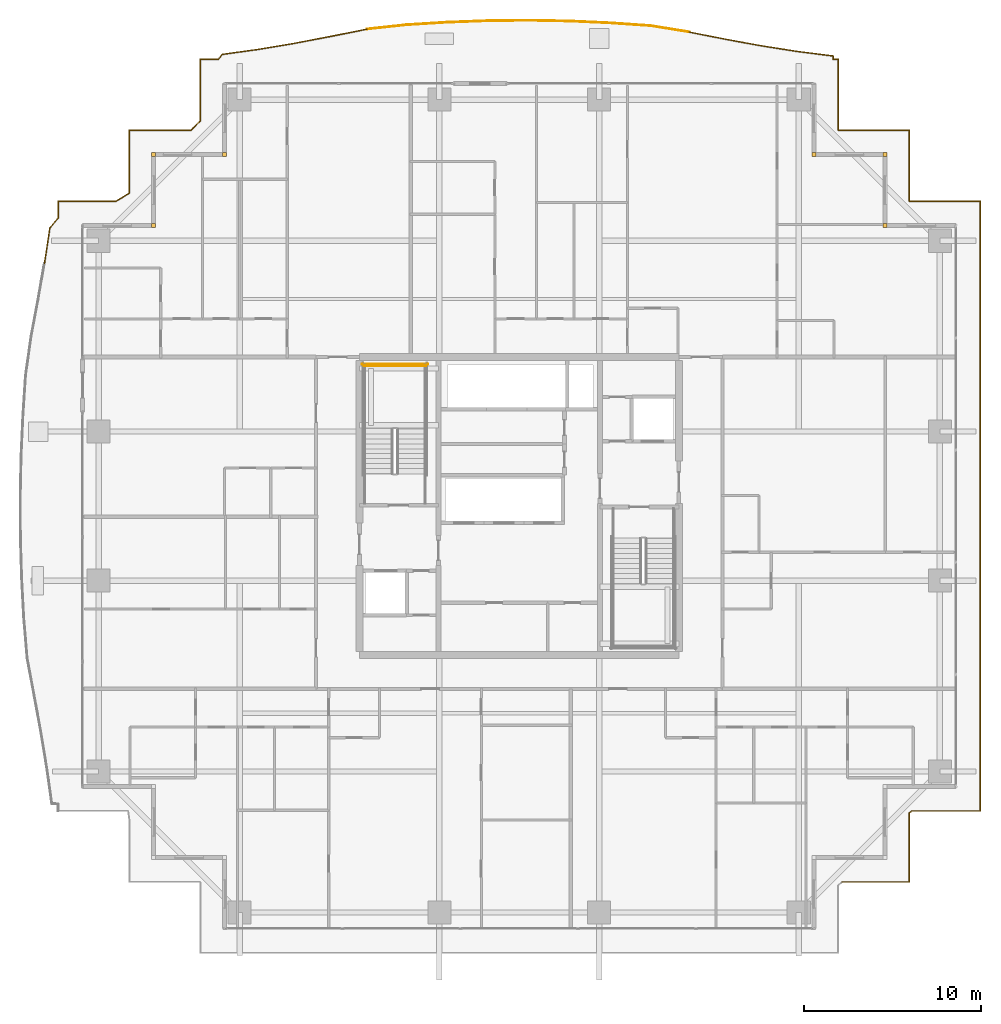
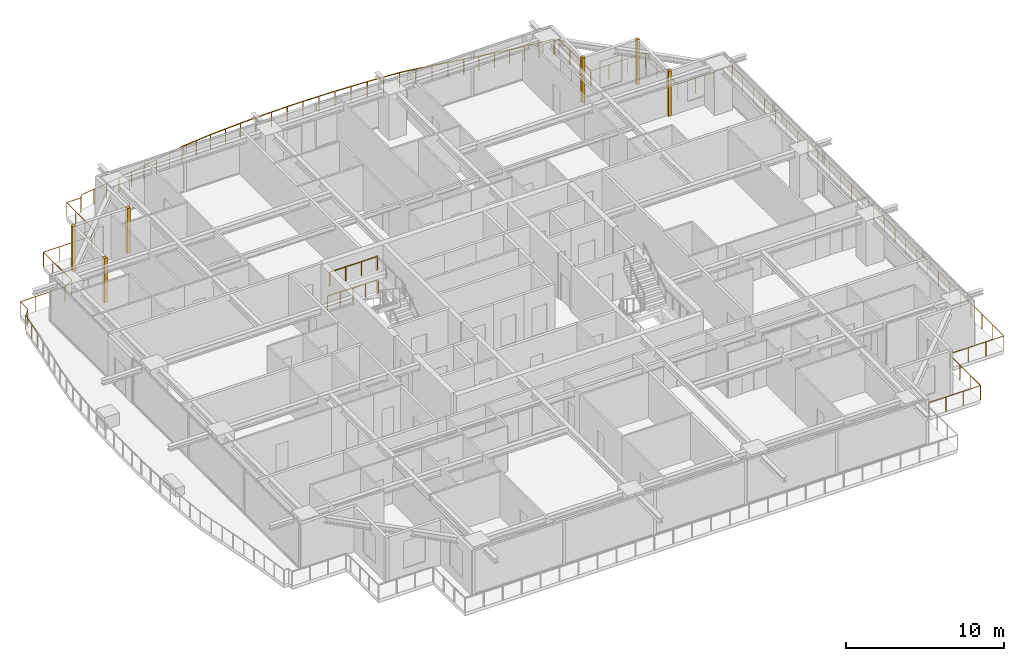
# One storey, part 37 of 37: 7 railings, 6 coverings.
"""IFC4 building model written with IfcOpenShell, lengths in metres."""

from ifc_helpers import new_model, si_unit, direction, frame, origin, origin_2d, place, context, subcontext, project, spatial, rectangle, circle, extrude, source, transform, mapped, material, layer, layer_set, type_object, element, save


model = new_model("IFC4")

# Units and contexts
model_context = context("Model", 3, precision=1e-05, world=origin(), true_north=direction((0.0, 1.0)))
body_context = subcontext(model_context, "Body", "Model", "MODEL_VIEW")
ifc_project = project(units=[si_unit("LENGTHUNIT", "METRE"), si_unit("AREAUNIT", "SQUARE_METRE"), si_unit("VOLUMEUNIT", "CUBIC_METRE"), si_unit("PLANEANGLEUNIT", "RADIAN"), si_unit("MASSUNIT", "GRAM", prefix="KILO")], contexts=[model_context])

# Site, building, storey
site_placement = place(None, origin())
site = spatial("IfcSite", under=ifc_project, at=site_placement, CompositionType="ELEMENT")
building_placement = place(site_placement, origin())
building = spatial("IfcBuilding", under=site, at=building_placement, Name="Serunith Strait Residences", CompositionType="ELEMENT")
storey_placement = place(building_placement, frame((0.0, 0.0, 153.89990234375)))
storey = spatial("IfcBuildingStorey", under=building, at=storey_placement, Name="L38", CompositionType="ELEMENT", Elevation=153.89990234375)

# Railings
ifc_material_1 = material(Name="Stainless Steel & Laminated Glass Balustrade", Category="steel")
railing_type_1 = type_object("IfcRailingType", Name="RLG-BALC-1150", PredefinedType="BALUSTRADE", material=ifc_material_1)
railing_1_placement = place(storey_placement, frame((5.6484375, 38.86572265625, -0.0498046875)))
element("IfcRailing", 1, at=railing_1_placement, inside=storey, type_object=railing_type_1, Name="L38 Swirling Balcony Perimeter Balustrade 3", PredefinedType="BALUSTRADE", context=body_context, shape_type="SweptSolid", body=[
    extrude(circle(Radius=0.02392578125, at=origin_2d()), frame((0.000244140625, 0.001953125, 1.1259765625), z_axis=(0.150587313373, 0.988596713049, 0.0), x_axis=(-0.988596713049, 0.150587313373, 0.0)), (0.0, 0.0, 1.0), 2.03076171875),
    extrude(circle(Radius=0.02392578125, at=origin_2d()), frame((0.3076171875, 2.012939453125, 1.1259765625), z_axis=(0.64767802673, 0.761914151129, 0.0), x_axis=(-0.761914151129, 0.64767802673, 0.0)), (0.0, 0.0, 1.0), 0.714111328125),
    extrude(circle(Radius=0.02392578125, at=origin_2d()), frame((0.771484375, 2.560546875, 1.1259765625), z_axis=(0.0, 1.0, 0.0), x_axis=(-1.0, 0.0, 0.0)), (0.0, 0.0, 1.0), 0.95166015625),
    extrude(circle(Radius=0.02392578125, at=origin_2d()), frame((0.7734375, 3.51416015625, 1.1259765625), z_axis=(1.0, 0.0, 0.0), x_axis=(0.0, 1.0, 0.0)), (0.0, 0.0, 1.0), 3.259521484375),
    extrude(circle(Radius=0.02392578125, at=origin_2d()), frame((4.03662109375, 3.51513671875, 1.1259765625), z_axis=(0.85764338505, 0.514244906713, 0.0), x_axis=(-0.514244906713, 0.85764338505, 0.0)), (0.0, 0.0, 1.0), 0.854736328125),
    extrude(circle(Radius=0.02392578125, at=origin_2d()), frame((4.771484375, 3.957763671875, 1.1259765625), z_axis=(0.0, 1.0, 0.0), x_axis=(-1.0, 0.0, 0.0)), (0.0, 0.0, 1.0), 3.554443359375),
    extrude(circle(Radius=0.02392578125, at=origin_2d()), frame((4.7734375, 7.51416015625, 1.1259765625), z_axis=(1.0, 0.0, 0.0), x_axis=(0.0, 1.0, 0.0)), (0.0, 0.0, 1.0), 3.47216796875),
    extrude(circle(Radius=0.02099609375, at=origin_2d()), origin(), (0.0, 0.0, 1.0), 1.099853515625),
    extrude(circle(Radius=0.02099609375, at=origin_2d()), frame((0.1533203125, 1.005859375, 0.0)), (0.0, 0.0, 1.0), 1.099853515625),
    extrude(circle(Radius=0.02099609375, at=origin_2d()), frame((0.306396484375, 2.011474609375, 0.0)), (0.0, 0.0, 1.0), 1.099853515625),
    extrude(circle(Radius=0.02099609375, at=origin_2d()), frame((0.771484375, 2.55859375, 0.0)), (0.0, 0.0, 1.0), 1.099853515625),
    extrude(circle(Radius=0.02099609375, at=origin_2d()), frame((0.771484375, 3.51416015625, 0.0)), (0.0, 0.0, 1.0), 1.099853515625),
    extrude(circle(Radius=0.02099609375, at=origin_2d()), frame((1.859375, 3.51416015625, 0.0)), (0.0, 0.0, 1.0), 1.099853515625),
    extrude(circle(Radius=0.02099609375, at=origin_2d()), frame((2.947021484375, 3.51416015625, 0.0)), (0.0, 0.0, 1.0), 1.099853515625),
    extrude(circle(Radius=0.02099609375, at=origin_2d()), frame((4.034912109375, 3.51416015625, 0.0)), (0.0, 0.0, 1.0), 1.099853515625),
    extrude(circle(Radius=0.02099609375, at=origin_2d()), frame((4.771484375, 3.955810546875, 0.0)), (0.0, 0.0, 1.0), 1.099853515625),
    extrude(circle(Radius=0.02099609375, at=origin_2d()), frame((4.771484375, 5.141845703125, 0.0)), (0.0, 0.0, 1.0), 1.099853515625),
    extrude(circle(Radius=0.02099609375, at=origin_2d()), frame((4.771484375, 6.328125, 0.0)), (0.0, 0.0, 1.0), 1.099853515625),
    extrude(circle(Radius=0.02099609375, at=origin_2d()), frame((4.771484375, 7.51416015625, 0.0)), (0.0, 0.0, 1.0), 1.099853515625),
    extrude(circle(Radius=0.02099609375, at=origin_2d()), frame((5.93017578125, 7.51416015625, 0.0)), (0.0, 0.0, 1.0), 1.099853515625),
    extrude(circle(Radius=0.02099609375, at=origin_2d()), frame((7.0888671875, 7.51416015625, 0.0)), (0.0, 0.0, 1.0), 1.099853515625),
    extrude(circle(Radius=0.02099609375, at=origin_2d()), frame((8.24755859375, 7.51416015625, 0.0)), (0.0, 0.0, 1.0), 1.099853515625),
])
railing_2_placement = place(storey_placement, frame((13.89599609375, 46.3798828125, -0.0498046875)))
element("IfcRailing", 2, at=railing_2_placement, inside=storey, type_object=railing_type_1, Name="L38 Swirling Balcony Perimeter Balustrade 4", PredefinedType="BALUSTRADE", context=body_context, shape_type="SweptSolid", body=[
    extrude(circle(Radius=0.02392578125, at=origin_2d()), frame((0.00146484375, 0.00146484375, 1.1259765625), z_axis=(0.721078377082, 0.692853501185, 0.0), x_axis=(-0.692853501185, 0.721078377082, 0.0)), (0.0, 0.0, 1.0), 0.72265625),
    extrude(circle(Radius=0.02392578125, at=origin_2d()), frame((0.52392578125, 0.50537109375, 1.1259765625), z_axis=(0.0, 1.0, 0.0), x_axis=(-1.0, 0.0, 0.0)), (0.0, 0.0, 1.0), 3.49267578125),
    extrude(circle(Radius=0.02392578125, at=origin_2d()), frame((0.52587890625, 4.0, 1.1259765625), z_axis=(1.0, 0.0, 0.0), x_axis=(0.0, 1.0, 0.0)), (0.0, 0.0, 1.0), 1.031982421875),
    extrude(circle(Radius=0.02392578125, at=origin_2d()), frame((1.56103515625, 4.001708984375, 1.1259765625), z_axis=(0.582006464086, 0.813184158578, 0.0), x_axis=(-0.813184158578, 0.582006464086, 0.0)), (0.0, 0.0, 1.0), 0.32666015625),
    extrude(circle(Radius=0.02392578125, at=origin_2d()), frame((1.754150390625, 4.26904296875, 1.1259765625), z_axis=(0.990496397089, 0.137538675846, 0.0), x_axis=(-0.137538675846, 0.990496397089, 0.0)), (0.0, 0.0, 1.0), 2.012451171875),
    extrude(circle(Radius=0.02392578125, at=origin_2d()), frame((3.75146484375, 4.54638671875, 1.1259765625), z_axis=(0.986287129641, 0.165038474014, 0.0), x_axis=(-0.165038474014, 0.986287129641, 0.0)), (0.0, 0.0, 1.0), 2.038818359375),
    extrude(circle(Radius=0.02392578125, at=origin_2d()), frame((5.766357421875, 4.8837890625, 1.1259765625), z_axis=(0.982381533119, 0.186886391658, 0.0), x_axis=(-0.186886391658, 0.982381533119, 0.0)), (0.0, 0.0, 1.0), 2.08349609375),
    extrude(circle(Radius=0.02392578125, at=origin_2d()), frame((7.817138671875, 5.27392578125, 1.1259765625), z_axis=(0.980742028186, 0.195307639765, 0.0), x_axis=(-0.195307639765, 0.980742028186, 0.0)), (0.0, 0.0, 1.0), 2.144775390625),
    extrude(circle(Radius=0.02099609375, at=origin_2d()), origin(), (0.0, 0.0, 1.0), 1.099853515625),
    extrude(circle(Radius=0.02099609375, at=origin_2d()), frame((0.52392578125, 0.50341796875, 0.0)), (0.0, 0.0, 1.0), 1.099853515625),
    extrude(circle(Radius=0.02099609375, at=origin_2d()), frame((0.52392578125, 1.6689453125, 0.0)), (0.0, 0.0, 1.0), 1.099853515625),
    extrude(circle(Radius=0.02099609375, at=origin_2d()), frame((0.52392578125, 2.83447265625, 0.0)), (0.0, 0.0, 1.0), 1.099853515625),
    extrude(circle(Radius=0.02099609375, at=origin_2d()), frame((0.52392578125, 4.0, 0.0)), (0.0, 0.0, 1.0), 1.099853515625),
    extrude(circle(Radius=0.02099609375, at=origin_2d()), frame((1.559814453125, 4.0, 0.0)), (0.0, 0.0, 1.0), 1.099853515625),
    extrude(circle(Radius=0.02099609375, at=origin_2d()), frame((1.752197265625, 4.268798828125, 0.0)), (0.0, 0.0, 1.0), 1.099853515625),
    extrude(circle(Radius=0.02099609375, at=origin_2d()), frame((2.7509765625, 4.407470703125, 0.0)), (0.0, 0.0, 1.0), 1.099853515625),
    extrude(circle(Radius=0.02099609375, at=origin_2d()), frame((3.74951171875, 4.546142578125, 0.0)), (0.0, 0.0, 1.0), 1.099853515625),
    extrude(circle(Radius=0.02099609375, at=origin_2d()), frame((4.7568359375, 4.71484375, 0.0)), (0.0, 0.0, 1.0), 1.099853515625),
    extrude(circle(Radius=0.02099609375, at=origin_2d()), frame((5.764404296875, 4.88330078125, 0.0)), (0.0, 0.0, 1.0), 1.099853515625),
    extrude(circle(Radius=0.02099609375, at=origin_2d()), frame((6.789794921875, 5.078369140625, 0.0)), (0.0, 0.0, 1.0), 1.099853515625),
    extrude(circle(Radius=0.02099609375, at=origin_2d()), frame((7.815185546875, 5.2734375, 0.0)), (0.0, 0.0, 1.0), 1.099853515625),
    extrude(circle(Radius=0.02099609375, at=origin_2d()), frame((8.868896484375, 5.4833984375, 0.0)), (0.0, 0.0, 1.0), 1.099853515625),
    extrude(circle(Radius=0.02099609375, at=origin_2d()), frame((9.922607421875, 5.693115234375, 0.0)), (0.0, 0.0, 1.0), 1.099853515625),
])
railing_3_placement = place(storey_placement, frame((23.818603515625, 52.072998046875, -0.0498046875)))
element("IfcRailing", 3, at=railing_3_placement, inside=storey, type_object=railing_type_1, Name="L38 Swirling Balcony Perimeter Balustrade 5", PredefinedType="BALUSTRADE", context=body_context, shape_type="SweptSolid", body=[
    extrude(circle(Radius=0.02392578125, at=origin_2d()), frame((0.001953125, 0.000244140625, 1.1259765625), z_axis=(0.994247380586, 0.107108105197, 0.0), x_axis=(-0.107108105197, 0.994247380586, 0.0)), (0.0, 0.0, 1.0), 2.229736328125),
    extrude(circle(Radius=0.02392578125, at=origin_2d()), frame((2.222900390625, 0.239501953125, 1.1259765625), z_axis=(0.998063809171, 0.062198334563, 0.0), x_axis=(-0.062198334563, 0.998063809171, 0.0)), (0.0, 0.0, 1.0), 2.276611328125),
    extrude(circle(Radius=0.02392578125, at=origin_2d()), frame((4.4990234375, 0.381103515625, 1.1259765625), z_axis=(0.999285068156, 0.037806779285, 0.0), x_axis=(-0.037806779285, 0.999285068156, 0.0)), (0.0, 0.0, 1.0), 2.30126953125),
    extrude(circle(Radius=0.02392578125, at=origin_2d()), frame((6.802734375, 0.46826171875, 1.1259765625), z_axis=(0.999948848874, 0.010114328257, 0.0), x_axis=(-0.010114328257, 0.999948848874, 0.0)), (0.0, 0.0, 1.0), 2.313232421875),
    extrude(circle(Radius=0.02392578125, at=origin_2d()), frame((9.119873046875, 0.49169921875, 1.1259765625), z_axis=(0.999827671138, -0.018564159734, 0.0), x_axis=(0.018564159734, 0.999827671138, 0.0)), (0.0, 0.0, 1.0), 2.310546875),
    extrude(circle(Radius=0.02392578125, at=origin_2d()), frame((11.43408203125, 0.44873046875, 1.1259765625), z_axis=(0.99896063856, -0.045581165065, 0.0), x_axis=(0.045581165065, 0.99896063856, 0.0)), (0.0, 0.0, 1.0), 2.293701171875),
    extrude(circle(Radius=0.02392578125, at=origin_2d()), frame((13.7294921875, 0.34375, 1.1259765625), z_axis=(0.997640505294, -0.068654367639, 0.0), x_axis=(0.068654367639, 0.997640505294, 0.0)), (0.0, 0.0, 1.0), 2.264892578125),
    extrude(circle(Radius=0.02392578125, at=origin_2d()), frame((15.992919921875, 0.18798828125, 1.1259765625), z_axis=(0.987056035896, -0.160375752537, 0.0), x_axis=(0.160375752537, 0.987056035896, 0.0)), (0.0, 0.0, 1.0), 2.191162109375),
    extrude(circle(Radius=0.02099609375, at=origin_2d()), origin(), (0.0, 0.0, 1.0), 1.099853515625),
    extrude(circle(Radius=0.02099609375, at=origin_2d()), frame((1.1103515625, 0.11962890625, 0.0)), (0.0, 0.0, 1.0), 1.099853515625),
    extrude(circle(Radius=0.02099609375, at=origin_2d()), frame((2.220947265625, 0.2392578125, 0.0)), (0.0, 0.0, 1.0), 1.099853515625),
    extrude(circle(Radius=0.02099609375, at=origin_2d()), frame((3.35888671875, 0.31005859375, 0.0)), (0.0, 0.0, 1.0), 1.099853515625),
    extrude(circle(Radius=0.02099609375, at=origin_2d()), frame((4.4970703125, 0.381103515625, 0.0)), (0.0, 0.0, 1.0), 1.099853515625),
    extrude(circle(Radius=0.02099609375, at=origin_2d()), frame((5.64892578125, 0.4248046875, 0.0)), (0.0, 0.0, 1.0), 1.099853515625),
    extrude(circle(Radius=0.02099609375, at=origin_2d()), frame((6.80078125, 0.46826171875, 0.0)), (0.0, 0.0, 1.0), 1.099853515625),
    extrude(circle(Radius=0.02099609375, at=origin_2d()), frame((7.95947265625, 0.47998046875, 0.0)), (0.0, 0.0, 1.0), 1.099853515625),
    extrude(circle(Radius=0.02099609375, at=origin_2d()), frame((9.117919921875, 0.49169921875, 0.0)), (0.0, 0.0, 1.0), 1.099853515625),
    extrude(circle(Radius=0.02099609375, at=origin_2d()), frame((10.27490234375, 0.47021484375, 0.0)), (0.0, 0.0, 1.0), 1.099853515625),
    extrude(circle(Radius=0.02099609375, at=origin_2d()), frame((11.43212890625, 0.44873046875, 0.0)), (0.0, 0.0, 1.0), 1.099853515625),
    extrude(circle(Radius=0.02099609375, at=origin_2d()), frame((12.579833984375, 0.396484375, 0.0)), (0.0, 0.0, 1.0), 1.099853515625),
    extrude(circle(Radius=0.02099609375, at=origin_2d()), frame((13.7275390625, 0.343994140625, 0.0)), (0.0, 0.0, 1.0), 1.099853515625),
    extrude(circle(Radius=0.02099609375, at=origin_2d()), frame((14.859375, 0.26611328125, 0.0)), (0.0, 0.0, 1.0), 1.099853515625),
    extrude(circle(Radius=0.02099609375, at=origin_2d()), frame((15.990966796875, 0.188232421875, 0.0)), (0.0, 0.0, 1.0), 1.099853515625),
    extrude(circle(Radius=0.02099609375, at=origin_2d()), frame((17.07421875, 0.01220703125, 0.0)), (0.0, 0.0, 1.0), 1.099853515625),
    extrude(circle(Radius=0.02099609375, at=origin_2d()), frame((18.15771484375, -0.163818359375, 0.0)), (0.0, 0.0, 1.0), 1.099853515625),
])
railing_4_placement = place(storey_placement, frame((41.976318359375, 51.9091796875, -0.0498046875)))
element("IfcRailing", 4, at=railing_4_placement, inside=storey, type_object=railing_type_1, Name="L38 Swirling Balcony Perimeter Balustrade 6", PredefinedType="BALUSTRADE", context=body_context, shape_type="SweptSolid", body=[
    extrude(circle(Radius=0.02392578125, at=origin_2d()), frame((0.001953125, -0.00048828125, 1.1259765625), z_axis=(0.981060216818, -0.193702996821, 0.0), x_axis=(0.193702996821, 0.981060216818, 0.0)), (0.0, 0.0, 1.0), 2.1171875),
    extrude(circle(Radius=0.02392578125, at=origin_2d()), frame((2.0830078125, -0.4111328125, 1.1259765625), z_axis=(0.983828294996, -0.179114170195, 0.0), x_axis=(0.179114170195, 0.983828294996, 0.0)), (0.0, 0.0, 1.0), 2.062255859375),
    extrude(circle(Radius=0.02392578125, at=origin_2d()), frame((4.115966796875, -0.78125, 1.1259765625), z_axis=(0.988017193793, -0.154343852385, 0.0), x_axis=(0.154343852385, 0.988017193793, 0.0)), (0.0, 0.0, 1.0), 2.025390625),
    extrude(circle(Radius=0.02392578125, at=origin_2d()), frame((6.12109375, -1.094482421875, 1.1259765625), z_axis=(0.992002613728, -0.126217329863, 0.0), x_axis=(0.126217329863, 0.992002613728, 0.0)), (0.0, 0.0, 1.0), 2.005615234375),
    extrude(circle(Radius=0.02392578125, at=origin_2d()), frame((8.11279296875, -1.349853515625, 1.1259765625), z_axis=(-0.009420847052, -0.999955622836, 0.0), x_axis=(0.999955622836, -0.009420847052, 0.0)), (0.0, 0.0, 1.0), 0.177490234375),
    extrude(circle(Radius=0.02392578125, at=origin_2d()), frame((8.113037109375, -1.529296875, 1.1259765625), z_axis=(1.0, 0.0, 0.0), x_axis=(0.0, 1.0, 0.0)), (0.0, 0.0, 1.0), 0.28857421875),
    extrude(circle(Radius=0.02392578125, at=origin_2d()), frame((8.403564453125, -1.53125, 1.1259765625), z_axis=(0.0, -1.0, 0.0), x_axis=(1.0, 0.0, 0.0)), (0.0, 0.0, 1.0), 3.99609375),
    extrude(circle(Radius=0.02099609375, at=origin_2d()), origin(), (0.0, 0.0, 1.0), 1.099853515625),
    extrude(circle(Radius=0.02099609375, at=origin_2d()), frame((1.04052734375, -0.20556640625, 0.0)), (0.0, 0.0, 1.0), 1.099853515625),
    extrude(circle(Radius=0.02099609375, at=origin_2d()), frame((2.0810546875, -0.410888671875, 0.0)), (0.0, 0.0, 1.0), 1.099853515625),
    extrude(circle(Radius=0.02099609375, at=origin_2d()), frame((3.09765625, -0.595947265625, 0.0)), (0.0, 0.0, 1.0), 1.099853515625),
    extrude(circle(Radius=0.02099609375, at=origin_2d()), frame((4.114013671875, -0.781005859375, 0.0)), (0.0, 0.0, 1.0), 1.099853515625),
    extrude(circle(Radius=0.02099609375, at=origin_2d()), frame((5.11669921875, -0.9375, 0.0)), (0.0, 0.0, 1.0), 1.099853515625),
    extrude(circle(Radius=0.02099609375, at=origin_2d()), frame((6.119140625, -1.09423828125, 0.0)), (0.0, 0.0, 1.0), 1.099853515625),
    extrude(circle(Radius=0.02099609375, at=origin_2d()), frame((7.115966796875, -1.22119140625, 0.0)), (0.0, 0.0, 1.0), 1.099853515625),
    extrude(circle(Radius=0.02099609375, at=origin_2d()), frame((8.11279296875, -1.347900390625, 0.0)), (0.0, 0.0, 1.0), 1.099853515625),
    extrude(circle(Radius=0.02099609375, at=origin_2d()), frame((8.111083984375, -1.529296875, 0.0)), (0.0, 0.0, 1.0), 1.099853515625),
    extrude(circle(Radius=0.02099609375, at=origin_2d()), frame((8.403564453125, -1.529296875, 0.0)), (0.0, 0.0, 1.0), 1.099853515625),
    extrude(circle(Radius=0.02099609375, at=origin_2d()), frame((8.403564453125, -2.862548828125, 0.0)), (0.0, 0.0, 1.0), 1.099853515625),
    extrude(circle(Radius=0.02099609375, at=origin_2d()), frame((8.403564453125, -4.196044921875, 0.0)), (0.0, 0.0, 1.0), 1.099853515625),
    extrude(circle(Radius=0.02099609375, at=origin_2d()), frame((8.403564453125, -5.529296875, 0.0)), (0.0, 0.0, 1.0), 1.099853515625),
])
railing_5_placement = place(storey_placement, frame((50.3798828125, 46.3798828125, -0.0498046875)))
element("IfcRailing", 5, at=railing_5_placement, inside=storey, type_object=railing_type_1, Name="L38 Swirling Balcony Perimeter Balustrade 7", PredefinedType="BALUSTRADE", context=body_context, shape_type="SweptSolid", body=[
    extrude(circle(Radius=0.02392578125, at=origin_2d()), frame((0.001953125, 0.0, 1.1259765625), z_axis=(1.0, 0.0, 0.0), x_axis=(0.0, 1.0, 0.0)), (0.0, 0.0, 1.0), 3.99609375),
    extrude(circle(Radius=0.02392578125, at=origin_2d()), frame((4.0, -0.001953125, 1.1259765625), z_axis=(0.0, -1.0, 0.0), x_axis=(1.0, 0.0, 0.0)), (0.0, 0.0, 1.0), 3.99609375),
    extrude(circle(Radius=0.02392578125, at=origin_2d()), frame((4.001953125, -4.0, 1.1259765625), z_axis=(1.0, 0.0, 0.0), x_axis=(0.0, 1.0, 0.0)), (0.0, 0.0, 1.0), 3.99609375),
    extrude(circle(Radius=0.02392578125, at=origin_2d()), frame((8.0, -4.001953125, 1.1259765625), z_axis=(0.0, -1.0, 0.0), x_axis=(1.0, 0.0, 0.0)), (0.0, 0.0, 1.0), 34.35595703125),
    extrude(circle(Radius=0.02392578125, at=origin_2d()), frame((7.998046875, -38.35986328125, 1.1259765625), z_axis=(-1.0, 0.0, 0.0), x_axis=(0.0, -1.0, 0.0)), (0.0, 0.0, 1.0), 3.86083984375),
    extrude(circle(Radius=0.02392578125, at=origin_2d()), frame((4.133544921875, -38.361083984375, 1.1259765625), z_axis=(-0.809367380782, -0.587302684249, 0.0), x_axis=(0.587302684249, -0.809367380782, 0.0)), (0.0, 0.0, 1.0), 0.1630859375),
    extrude(circle(Radius=0.02392578125, at=origin_2d()), frame((4.0, -38.4599609375, 1.1259765625), z_axis=(0.0, -1.0, 0.0), x_axis=(1.0, 0.0, 0.0)), (0.0, 0.0, 1.0), 3.89794921875),
    extrude(circle(Radius=0.02392578125, at=origin_2d()), frame((3.998046875, -42.35986328125, 1.1259765625), z_axis=(-1.0, 0.0, 0.0), x_axis=(0.0, -1.0, 0.0)), (0.0, 0.0, 1.0), 3.774169921875),
    extrude(circle(Radius=0.02099609375, at=origin_2d()), origin(), (0.0, 0.0, 1.0), 1.099853515625),
    extrude(circle(Radius=0.02099609375, at=origin_2d()), frame((1.333251953125, 0.0, 0.0)), (0.0, 0.0, 1.0), 1.099853515625),
    extrude(circle(Radius=0.02099609375, at=origin_2d()), frame((2.666748046875, 0.0, 0.0)), (0.0, 0.0, 1.0), 1.099853515625),
    extrude(circle(Radius=0.02099609375, at=origin_2d()), frame((4.0, 0.0, 0.0)), (0.0, 0.0, 1.0), 1.099853515625),
    extrude(circle(Radius=0.02099609375, at=origin_2d()), frame((4.0, -1.333251953125, 0.0)), (0.0, 0.0, 1.0), 1.099853515625),
    extrude(circle(Radius=0.02099609375, at=origin_2d()), frame((4.0, -2.666748046875, 0.0)), (0.0, 0.0, 1.0), 1.099853515625),
    extrude(circle(Radius=0.02099609375, at=origin_2d()), frame((4.0, -4.0, 0.0)), (0.0, 0.0, 1.0), 1.099853515625),
    extrude(circle(Radius=0.02099609375, at=origin_2d()), frame((5.333251953125, -4.0, 0.0)), (0.0, 0.0, 1.0), 1.099853515625),
    extrude(circle(Radius=0.02099609375, at=origin_2d()), frame((6.666748046875, -4.0, 0.0)), (0.0, 0.0, 1.0), 1.099853515625),
    extrude(circle(Radius=0.02099609375, at=origin_2d()), frame((8.0, -4.0, 0.0)), (0.0, 0.0, 1.0), 1.099853515625),
    extrude(circle(Radius=0.02099609375, at=origin_2d()), frame((8.0, -5.37451171875, 0.0)), (0.0, 0.0, 1.0), 1.099853515625),
    extrude(circle(Radius=0.02099609375, at=origin_2d()), frame((8.0, -6.748779296875, 0.0)), (0.0, 0.0, 1.0), 1.099853515625),
    extrude(circle(Radius=0.02099609375, at=origin_2d()), frame((8.0, -8.123291015625, 0.0)), (0.0, 0.0, 1.0), 1.099853515625),
    extrude(circle(Radius=0.02099609375, at=origin_2d()), frame((8.0, -9.49755859375, 0.0)), (0.0, 0.0, 1.0), 1.099853515625),
    extrude(circle(Radius=0.02099609375, at=origin_2d()), frame((8.0, -10.8720703125, 0.0)), (0.0, 0.0, 1.0), 1.099853515625),
    extrude(circle(Radius=0.02099609375, at=origin_2d()), frame((8.0, -12.246337890625, 0.0)), (0.0, 0.0, 1.0), 1.099853515625),
    extrude(circle(Radius=0.02099609375, at=origin_2d()), frame((8.0, -13.620849609375, 0.0)), (0.0, 0.0, 1.0), 1.099853515625),
    extrude(circle(Radius=0.02099609375, at=origin_2d()), frame((8.0, -14.9951171875, 0.0)), (0.0, 0.0, 1.0), 1.099853515625),
    extrude(circle(Radius=0.02099609375, at=origin_2d()), frame((8.0, -16.36962890625, 0.0)), (0.0, 0.0, 1.0), 1.099853515625),
    extrude(circle(Radius=0.02099609375, at=origin_2d()), frame((8.0, -17.743896484375, 0.0)), (0.0, 0.0, 1.0), 1.099853515625),
    extrude(circle(Radius=0.02099609375, at=origin_2d()), frame((8.0, -19.118408203125, 0.0)), (0.0, 0.0, 1.0), 1.099853515625),
    extrude(circle(Radius=0.02099609375, at=origin_2d()), frame((8.0, -20.49267578125, 0.0)), (0.0, 0.0, 1.0), 1.099853515625),
    extrude(circle(Radius=0.02099609375, at=origin_2d()), frame((8.0, -21.8671875, 0.0)), (0.0, 0.0, 1.0), 1.099853515625),
    extrude(circle(Radius=0.02099609375, at=origin_2d()), frame((8.0, -23.241455078125, 0.0)), (0.0, 0.0, 1.0), 1.099853515625),
    extrude(circle(Radius=0.02099609375, at=origin_2d()), frame((8.0, -24.615966796875, 0.0)), (0.0, 0.0, 1.0), 1.099853515625),
    extrude(circle(Radius=0.02099609375, at=origin_2d()), frame((8.0, -25.990234375, 0.0)), (0.0, 0.0, 1.0), 1.099853515625),
    extrude(circle(Radius=0.02099609375, at=origin_2d()), frame((8.0, -27.36474609375, 0.0)), (0.0, 0.0, 1.0), 1.099853515625),
    extrude(circle(Radius=0.02099609375, at=origin_2d()), frame((8.0, -28.739013671875, 0.0)), (0.0, 0.0, 1.0), 1.099853515625),
    extrude(circle(Radius=0.02099609375, at=origin_2d()), frame((8.0, -30.113525390625, 0.0)), (0.0, 0.0, 1.0), 1.099853515625),
    extrude(circle(Radius=0.02099609375, at=origin_2d()), frame((8.0, -31.48779296875, 0.0)), (0.0, 0.0, 1.0), 1.099853515625),
    extrude(circle(Radius=0.02099609375, at=origin_2d()), frame((8.0, -32.8623046875, 0.0)), (0.0, 0.0, 1.0), 1.099853515625),
    extrude(circle(Radius=0.02099609375, at=origin_2d()), frame((8.0, -34.236572265625, 0.0)), (0.0, 0.0, 1.0), 1.099853515625),
    extrude(circle(Radius=0.02099609375, at=origin_2d()), frame((8.0, -35.611083984375, 0.0)), (0.0, 0.0, 1.0), 1.099853515625),
    extrude(circle(Radius=0.02099609375, at=origin_2d()), frame((8.0, -36.9853515625, 0.0)), (0.0, 0.0, 1.0), 1.099853515625),
    extrude(circle(Radius=0.02099609375, at=origin_2d()), frame((8.0, -38.35986328125, 0.0)), (0.0, 0.0, 1.0), 1.099853515625),
    extrude(circle(Radius=0.02099609375, at=origin_2d()), frame((6.711669921875, -38.35986328125, 0.0)), (0.0, 0.0, 1.0), 1.099853515625),
    extrude(circle(Radius=0.02099609375, at=origin_2d()), frame((5.423583984375, -38.35986328125, 0.0)), (0.0, 0.0, 1.0), 1.099853515625),
    extrude(circle(Radius=0.02099609375, at=origin_2d()), frame((4.13525390625, -38.35986328125, 0.0)), (0.0, 0.0, 1.0), 1.099853515625),
    extrude(circle(Radius=0.02099609375, at=origin_2d()), frame((4.0, -38.4580078125, 0.0)), (0.0, 0.0, 1.0), 1.099853515625),
    extrude(circle(Radius=0.02099609375, at=origin_2d()), frame((4.0, -39.758544921875, 0.0)), (0.0, 0.0, 1.0), 1.099853515625),
    extrude(circle(Radius=0.02099609375, at=origin_2d()), frame((4.0, -41.059326171875, 0.0)), (0.0, 0.0, 1.0), 1.099853515625),
    extrude(circle(Radius=0.02099609375, at=origin_2d()), frame((4.0, -42.35986328125, 0.0)), (0.0, 0.0, 1.0), 1.099853515625),
    extrude(circle(Radius=0.02099609375, at=origin_2d()), frame((2.74072265625, -42.35986328125, 0.0)), (0.0, 0.0, 1.0), 1.099853515625),
    extrude(circle(Radius=0.02099609375, at=origin_2d()), frame((1.481201171875, -42.35986328125, 0.0)), (0.0, 0.0, 1.0), 1.099853515625),
    extrude(circle(Radius=0.02099609375, at=origin_2d()), frame((0.221923828125, -42.35986328125, 0.0)), (0.0, 0.0, 1.0), 1.099853515625),
])
ifc_material_2 = material(Name="Brushed stainless steel 316L", Category="steel")
railing_type_2 = type_object("IfcRailingType", Name="RLG-STAIR-GUARD", PredefinedType="BALUSTRADE", material=ifc_material_2)
railing_6_placement = place(storey_placement, frame((27.14990234375, 33.10009765625, 1.875)))
element("IfcRailing", 6, at=railing_6_placement, inside=storey, type_object=railing_type_2, Name="L38 ST-1 stair guard 5", PredefinedType="BALUSTRADE", context=body_context, shape_type="SweptSolid", body=[
    extrude(circle(Radius=0.02392578125, at=origin_2d()), frame((-0.001953125, 0.0, 1.076171875), z_axis=(-1.0, 0.0, 0.0), x_axis=(0.0, -1.0, 0.0)), (0.0, 0.0, 1.0), 3.49609375),
    extrude(circle(Radius=0.02099609375, at=origin_2d()), origin(), (0.0, 0.0, 1.0), 1.050048828125),
    extrude(circle(Radius=0.02099609375, at=origin_2d()), frame((-1.166748046875, 0.0, 0.0)), (0.0, 0.0, 1.0), 1.050048828125),
    extrude(circle(Radius=0.02099609375, at=origin_2d()), frame((-2.333251953125, 0.0, 0.0)), (0.0, 0.0, 1.0), 1.050048828125),
    extrude(circle(Radius=0.02099609375, at=origin_2d()), frame((-3.5, 0.0, 0.0)), (0.0, 0.0, 1.0), 1.050048828125),
])
railing_7_placement = place(storey_placement, frame((27.25, 33.199951171875, 0.0)))
element("IfcRailing", 7, at=railing_7_placement, inside=storey, type_object=railing_type_2, Name="L38 ST-1 stair guard 12", PredefinedType="BALUSTRADE", context=body_context, shape_type="SweptSolid", body=[
    extrude(circle(Radius=0.02392578125, at=origin_2d()), frame((-0.001953125, 0.0, 1.076171875), z_axis=(-1.0, 0.0, 0.0), x_axis=(0.0, -1.0, 0.0)), (0.0, 0.0, 1.0), 3.696044921875),
    extrude(circle(Radius=0.02099609375, at=origin_2d()), origin(), (0.0, 0.0, 1.0), 1.050048828125),
    extrude(circle(Radius=0.02099609375, at=origin_2d()), frame((-0.925048828125, 0.0, 0.0)), (0.0, 0.0, 1.0), 1.050048828125),
    extrude(circle(Radius=0.02099609375, at=origin_2d()), frame((-1.85009765625, 0.0, 0.0)), (0.0, 0.0, 1.0), 1.050048828125),
    extrude(circle(Radius=0.02099609375, at=origin_2d()), frame((-2.77490234375, 0.0, 0.0)), (0.0, 0.0, 1.0), 1.050048828125),
    extrude(circle(Radius=0.02099609375, at=origin_2d()), frame((-3.699951171875, 0.0, 0.0)), (0.0, 0.0, 1.0), 1.050048828125),
])

# Coverings
ifc_material_3 = material(Name="Pale-Champagne Anodised Aluminium", Category="aluminium")
ifc_layer = layer(ifc_material_3, 0.219970703125, Name="Pale-Champagne Anodised Aluminium")
ifc_layer_set = layer_set([ifc_layer], Name="Pale-Champagne Anodised Aluminium")
covering_type = type_object("IfcCoveringType", Name="COV-CORN-TRIM", PredefinedType="CLADDING", material=ifc_layer_set)
shared_shape = source(origin(), body_context, "Body", "SweptSolid", [
    extrude(rectangle(XDim=0.221923828125, YDim=0.221923828125, at=origin_2d()), origin(), (0.0, 0.0, 1.0), 3.47509765625),
])
for number, where, z_axis, x_axis, name in (
    (8, (53.0, 41.0, 0.0), (0.0, 0.0, 1.0), (1.0, 0.0, 0.0), "L38 Girih Serrated Corner Trim Post 07"),
    (9, (53.0, 45.0, 0.0), (0.0, 0.0, 1.0), (1.0, 0.0, 0.0), "L38 Girih Serrated Corner Trim Post 08"),
    (10, (49.0, 45.0, 0.0), (0.0, 0.0, 1.0), (1.0, 0.0, 0.0), "L38 Girih Serrated Corner Trim Post 09"),
    (11, (15.800048828125, 45.0, 0.0), (0.0, 0.0, 1.0), (1.0, 0.0, 0.0), "L38 Girih Serrated Corner Trim Post 12"),
    (12, (11.800048828125, 45.0, 0.0), (0.0, 0.0, 1.0), (1.0, 0.0, 0.0), "L38 Girih Serrated Corner Trim Post 13"),
    (13, (11.800048828125, 41.0, 0.0), (0.0, 0.0, 1.0), (1.0, 0.0, 0.0), "L38 Girih Serrated Corner Trim Post 14"),
):
    element("IfcCovering", number, at=place(storey_placement, frame(where, z_axis=z_axis, x_axis=x_axis)), inside=storey, type_object=covering_type, Name=name, PredefinedType="CLADDING", context=body_context, shape_type="MappedRepresentation", body=[
        mapped(shared_shape, transform((0.0, 0.0, 0.0), scale=1.0)),
    ])

save(model, "model.ifc")
